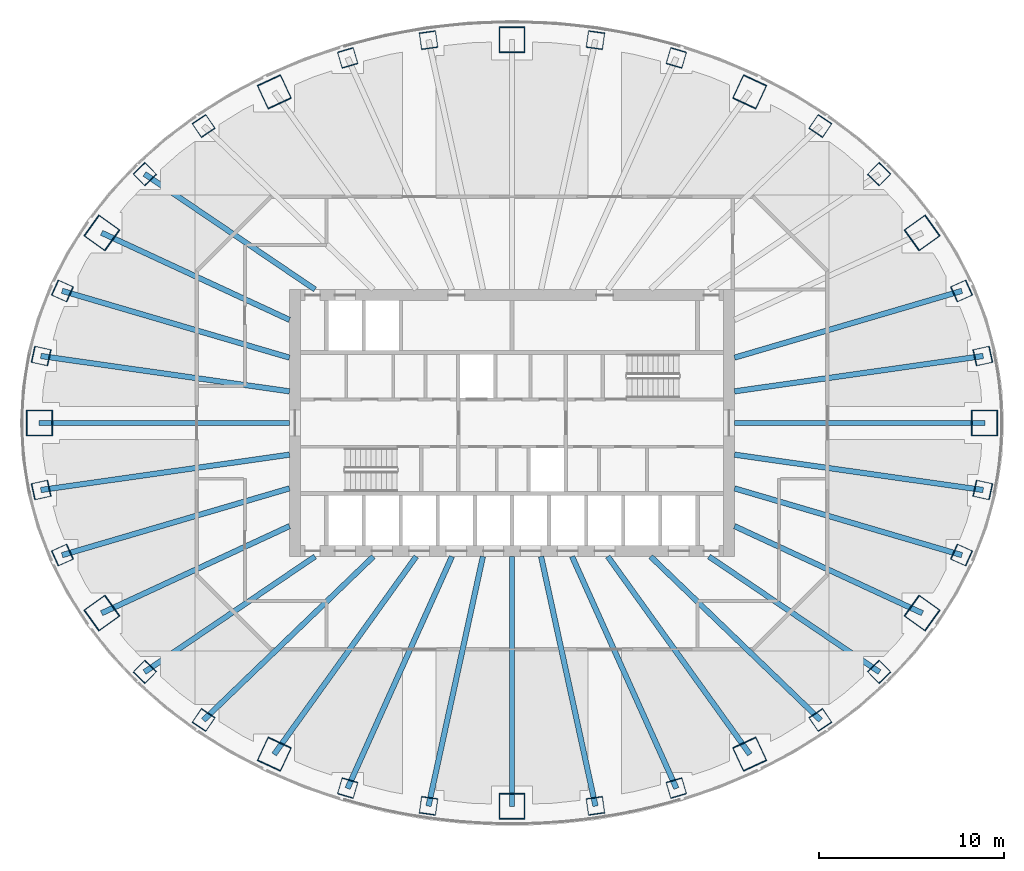
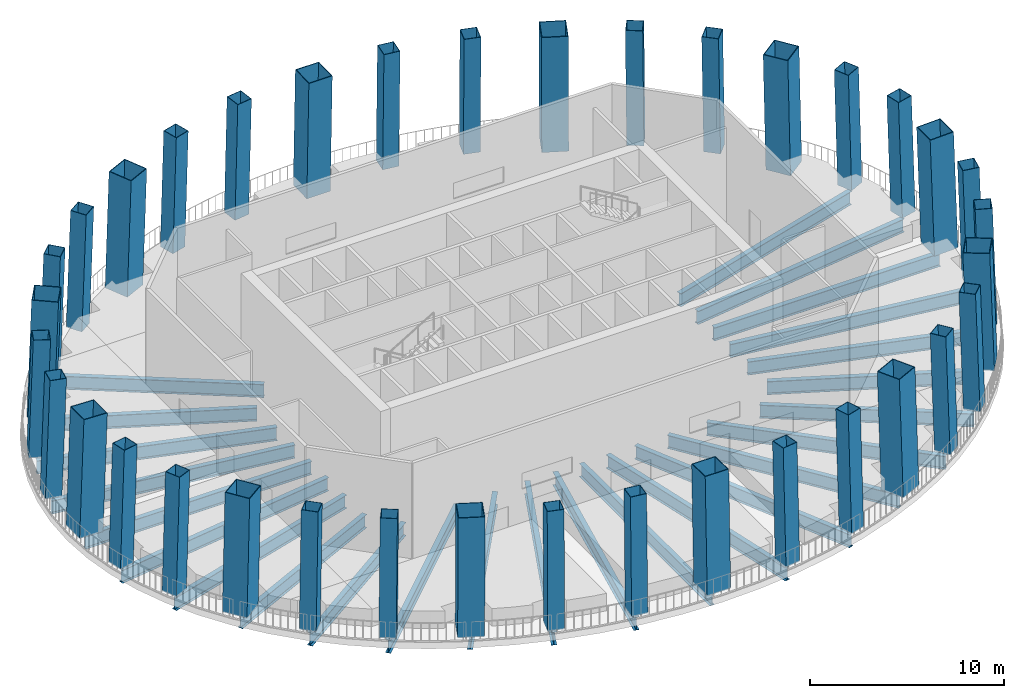
# One storey, part 1 of 13: 36 columns, 25 beams.
"""IFC4 building model written with IfcOpenShell, lengths in metres."""

from ifc_helpers import new_model, si_unit, direction, frame, origin, origin_2d, place, context, subcontext, project, spatial, hollow_rectangle, i_section, extrude, material, material_profile, profile_set, type_object, element, save


model = new_model("IFC4")

# Units and contexts
model_context = context("Model", 3, precision=1e-05, world=origin(), true_north=direction((0.0, 1.0)))
body_context = subcontext(model_context, "Body", "Model", "MODEL_VIEW")
ifc_project = project(units=[si_unit("LENGTHUNIT", "METRE"), si_unit("AREAUNIT", "SQUARE_METRE"), si_unit("VOLUMEUNIT", "CUBIC_METRE"), si_unit("PLANEANGLEUNIT", "RADIAN"), si_unit("MASSUNIT", "GRAM", prefix="KILO")], contexts=[model_context])

# Site, building, storey
site_placement = place(None, origin())
site = spatial("IfcSite", under=ifc_project, at=site_placement, CompositionType="ELEMENT")
building_placement = place(site_placement, origin())
building = spatial("IfcBuilding", under=site, at=building_placement, Name="Siaravel Broadcast Tower", CompositionType="ELEMENT")
storey_placement = place(building_placement, frame((0.0, 0.0, 85.199951171875)))
storey = spatial("IfcBuildingStorey", under=building, at=storey_placement, Name="L20", CompositionType="ELEMENT", Elevation=85.199951171875)

# Columns
ifc_material_1 = material(Name="Concrete C70/85", Category="concrete")
ifc_material_profile_1 = material_profile(ifc_material_1, hollow_rectangle(XDim=1.39990234375, YDim=1.39990234375, WallThickness=0.0400390625, at=origin_2d()))
ifc_profile_set_1 = profile_set([ifc_material_profile_1], Name="Concrete C70/85")
column_type_1 = type_object("IfcColumnType", Name="COL-CFT BOX 1400x1400x40", PredefinedType="COLUMN", material=ifc_profile_set_1)
column_1_placement = place(storey_placement, frame((25.493408203125, 0.0, 0.0), z_axis=(-0.034587192, 0.0, 0.999401684), x_axis=(0.0, -1.0, 0.0)))
element("IfcColumn", 1, at=column_1_placement, inside=storey, type_object=column_type_1, Name="Megacolumn MC01", PredefinedType="COLUMN", context=body_context, shape_type="SweptSolid", body=[
    extrude(hollow_rectangle(XDim=1.39990234375, YDim=1.39990234375, WallThickness=0.0400390625, at=origin_2d()), origin(), (0.0, 0.0, 1.0), 7.404541015625),
])
column_2_placement = place(storey_placement, frame((22.131591796875, 10.2578125, 0.0), z_axis=(-0.029972624, -0.014178469, 0.999450155), x_axis=(0.582422269, -0.812864736, 0.005934809)))
element("IfcColumn", 2, at=column_2_placement, inside=storey, type_object=column_type_1, Name="Megacolumn MC02", PredefinedType="COLUMN", context=body_context, shape_type="SweptSolid", body=[
    extrude(hollow_rectangle(XDim=1.39990234375, YDim=1.39990234375, WallThickness=0.0400390625, at=origin_2d()), origin(), (0.0, 0.0, 1.0), 7.404296875),
])
column_3_placement = place(storey_placement, frame((12.826416015625, 17.8701171875, 0.0), z_axis=(-0.017279682, -0.024501533, 0.999550443), x_axis=(0.907479145, -0.420062539, 0.005391198)))
element("IfcColumn", 3, at=column_3_placement, inside=storey, type_object=column_type_1, Name="Megacolumn MC03", PredefinedType="COLUMN", context=body_context, shape_type="SweptSolid", body=[
    extrude(hollow_rectangle(XDim=1.39990234375, YDim=1.39990234375, WallThickness=0.0400390625, at=origin_2d()), origin(), (0.0, 0.0, 1.0), 7.403564453125),
])
column_4_placement = place(storey_placement, frame((0.0, 20.68310546875, 0.0), z_axis=(0.0, -0.028361125, 0.999597742), x_axis=(1.0, 0.0, 0.0)))
element("IfcColumn", 4, at=column_4_placement, inside=storey, type_object=column_type_1, Name="Megacolumn MC04", PredefinedType="COLUMN", context=body_context, shape_type="SweptSolid", body=[
    extrude(hollow_rectangle(XDim=1.39990234375, YDim=1.39990234375, WallThickness=0.0400390625, at=origin_2d()), origin(), (0.0, 0.0, 1.0), 7.403076171875),
])
column_5_placement = place(storey_placement, frame((-12.826416015625, 17.8701171875, 0.0), z_axis=(0.017279682, -0.024501533, 0.999550443), x_axis=(0.907479145, 0.420062539, -0.005391198)))
element("IfcColumn", 5, at=column_5_placement, inside=storey, type_object=column_type_1, Name="Megacolumn MC05", PredefinedType="COLUMN", context=body_context, shape_type="SweptSolid", body=[
    extrude(hollow_rectangle(XDim=1.39990234375, YDim=1.39990234375, WallThickness=0.0400390625, at=origin_2d()), origin(), (0.0, 0.0, 1.0), 7.403564453125),
])
column_6_placement = place(storey_placement, frame((-22.131591796875, 10.2578125, 0.0), z_axis=(0.029972624, -0.014178469, 0.999450155), x_axis=(0.582422269, 0.812864736, -0.005934809)))
element("IfcColumn", 6, at=column_6_placement, inside=storey, type_object=column_type_1, Name="Megacolumn MC06", PredefinedType="COLUMN", context=body_context, shape_type="SweptSolid", body=[
    extrude(hollow_rectangle(XDim=1.39990234375, YDim=1.39990234375, WallThickness=0.0400390625, at=origin_2d()), origin(), (0.0, 0.0, 1.0), 7.404296875),
])
column_7_placement = place(storey_placement, frame((-25.493408203125, 0.0, 0.0), z_axis=(0.034587192, 0.0, 0.999401684), x_axis=(0.0, 1.0, 0.0)))
element("IfcColumn", 7, at=column_7_placement, inside=storey, type_object=column_type_1, Name="Megacolumn MC07", PredefinedType="COLUMN", context=body_context, shape_type="SweptSolid", body=[
    extrude(hollow_rectangle(XDim=1.39990234375, YDim=1.39990234375, WallThickness=0.0400390625, at=origin_2d()), origin(), (0.0, 0.0, 1.0), 7.404541015625),
])
column_8_placement = place(storey_placement, frame((-22.131591796875, -10.2578125, 0.0), z_axis=(0.029972624, 0.014178469, 0.999450155), x_axis=(-0.582422269, 0.812864736, 0.005934809)))
element("IfcColumn", 8, at=column_8_placement, inside=storey, type_object=column_type_1, Name="Megacolumn MC08", PredefinedType="COLUMN", context=body_context, shape_type="SweptSolid", body=[
    extrude(hollow_rectangle(XDim=1.39990234375, YDim=1.39990234375, WallThickness=0.0400390625, at=origin_2d()), origin(), (0.0, 0.0, 1.0), 7.404296875),
])
column_9_placement = place(storey_placement, frame((-12.826416015625, -17.8701171875, 0.0), z_axis=(0.017279682, 0.024501533, 0.999550443), x_axis=(-0.907479145, 0.420062539, 0.005391198)))
element("IfcColumn", 9, at=column_9_placement, inside=storey, type_object=column_type_1, Name="Megacolumn MC09", PredefinedType="COLUMN", context=body_context, shape_type="SweptSolid", body=[
    extrude(hollow_rectangle(XDim=1.39990234375, YDim=1.39990234375, WallThickness=0.0400390625, at=origin_2d()), origin(), (0.0, 0.0, 1.0), 7.403564453125),
])
column_10_placement = place(storey_placement, frame((0.0, -20.68310546875, 0.0), z_axis=(0.0, 0.028361125, 0.999597742), x_axis=(-1.0, 0.0, 0.0)))
element("IfcColumn", 10, at=column_10_placement, inside=storey, type_object=column_type_1, Name="Megacolumn MC10", PredefinedType="COLUMN", context=body_context, shape_type="SweptSolid", body=[
    extrude(hollow_rectangle(XDim=1.39990234375, YDim=1.39990234375, WallThickness=0.0400390625, at=origin_2d()), origin(), (0.0, 0.0, 1.0), 7.403076171875),
])
column_11_placement = place(storey_placement, frame((12.826416015625, -17.8701171875, 0.0), z_axis=(-0.017279682, 0.024501533, 0.999550443), x_axis=(-0.907479145, -0.420062539, -0.005391198)))
element("IfcColumn", 11, at=column_11_placement, inside=storey, type_object=column_type_1, Name="Megacolumn MC11", PredefinedType="COLUMN", context=body_context, shape_type="SweptSolid", body=[
    extrude(hollow_rectangle(XDim=1.39990234375, YDim=1.39990234375, WallThickness=0.0400390625, at=origin_2d()), origin(), (0.0, 0.0, 1.0), 7.403564453125),
])
column_12_placement = place(storey_placement, frame((22.131591796875, -10.2578125, 0.0), z_axis=(-0.029972624, 0.014178469, 0.999450155), x_axis=(-0.582422269, -0.812864736, -0.005934809)))
element("IfcColumn", 12, at=column_12_placement, inside=storey, type_object=column_type_1, Name="Megacolumn MC12", PredefinedType="COLUMN", context=body_context, shape_type="SweptSolid", body=[
    extrude(hollow_rectangle(XDim=1.39990234375, YDim=1.39990234375, WallThickness=0.0400390625, at=origin_2d()), origin(), (0.0, 0.0, 1.0), 7.404296875),
])
ifc_material_profile_2 = material_profile(ifc_material_1, hollow_rectangle(XDim=0.89990234375, YDim=0.89990234375, WallThickness=0.02490234375, at=origin_2d()))
ifc_profile_set_2 = profile_set([ifc_material_profile_2], Name="Concrete C70/85")
column_type_2 = type_object("IfcColumnType", Name="COL-CFT BOX 900x900x25", PredefinedType="COLUMN", material=ifc_profile_set_2)
column_13_placement = place(storey_placement, frame((25.4072265625, 3.6142578125, 0.0), z_axis=(-0.034059852, -0.004912796, 0.99940772), x_axis=(0.212302351, -0.977201002, 0.002431638)))
element("IfcColumn", 13, at=column_13_placement, inside=storey, type_object=column_type_2, Name="Perimeter column C01", PredefinedType="COLUMN", context=body_context, shape_type="SweptSolid", body=[
    extrude(hollow_rectangle(XDim=0.89990234375, YDim=0.89990234375, WallThickness=0.02490234375, at=origin_2d()), origin(), (0.0, 0.0, 1.0), 7.404541015625),
])
column_14_placement = place(storey_placement, frame((24.258544921875, 7.12548828125, 0.0), z_axis=(-0.03251072, -0.009693866, 0.999424375), x_axis=(0.409726576, -0.912197379, 0.004480366)))
element("IfcColumn", 14, at=column_14_placement, inside=storey, type_object=column_type_2, Name="Perimeter column C02", PredefinedType="COLUMN", context=body_context, shape_type="SweptSolid", body=[
    extrude(hollow_rectangle(XDim=0.89990234375, YDim=0.89990234375, WallThickness=0.02490234375, at=origin_2d()), origin(), (0.0, 0.0, 1.0), 7.404296875),
])
column_15_placement = place(storey_placement, frame((19.81298828125, 13.429443359375, 0.0), z_axis=(-0.026511289, -0.018234755, 0.999482189), x_axis=(0.720243122, -0.693691762, 0.006448614)))
element("IfcColumn", 15, at=column_15_placement, inside=storey, type_object=column_type_2, Name="Perimeter column C03", PredefinedType="COLUMN", context=body_context, shape_type="SweptSolid", body=[
    extrude(hollow_rectangle(XDim=0.89990234375, YDim=0.89990234375, WallThickness=0.02490234375, at=origin_2d()), origin(), (0.0, 0.0, 1.0), 7.404052734375),
])
column_16_placement = place(storey_placement, frame((16.640869140625, 16.027587890625, 0.0), z_axis=(-0.022225407, -0.021730776, 0.999516786), x_axis=(0.828277494, -0.56028341, 0.006236425)))
element("IfcColumn", 16, at=column_16_placement, inside=storey, type_object=column_type_2, Name="Perimeter column C04", PredefinedType="COLUMN", context=body_context, shape_type="SweptSolid", body=[
    extrude(hollow_rectangle(XDim=0.89990234375, YDim=0.89990234375, WallThickness=0.02490234375, at=origin_2d()), origin(), (0.0, 0.0, 1.0), 7.40380859375),
])
column_17_placement = place(storey_placement, frame((8.866943359375, 19.70263671875, 0.0), z_axis=(-0.01183886, -0.026612702, 0.999575713), x_axis=(0.959516231, -0.281626798, 0.003866369)))
element("IfcColumn", 17, at=column_17_placement, inside=storey, type_object=column_type_2, Name="Perimeter column C05", PredefinedType="COLUMN", context=body_context, shape_type="SweptSolid", body=[
    extrude(hollow_rectangle(XDim=0.89990234375, YDim=0.89990234375, WallThickness=0.02490234375, at=origin_2d()), origin(), (0.0, 0.0, 1.0), 7.4033203125),
])
for number, where, z_axis, x_axis, name in (
    (18, (4.50341796875, 20.660400390625, 0.0), (-0.00600197, -0.027932244, 0.9995918), (0.990142363, -0.140049893, 0.002031726), "Perimeter column C06"),
    (19, (-4.50341796875, 20.660400390625, 0.0), (0.00600197, -0.027932244, 0.9995918), (0.990142363, 0.140049893, -0.002031726), "Perimeter column C07"),
):
    element("IfcColumn", number, at=place(storey_placement, frame(where, z_axis=z_axis, x_axis=x_axis)), inside=storey, type_object=column_type_2, Name=name, PredefinedType="COLUMN", context=body_context, shape_type="SweptSolid", body=[
        extrude(hollow_rectangle(XDim=0.89990234375, YDim=0.89990234375, WallThickness=0.02490234375, at=origin_2d()), origin(), (0.0, 0.0, 1.0), 7.403076171875),
    ])
column_18_placement = place(storey_placement, frame((-8.866943359375, 19.70263671875, 0.0), z_axis=(0.01183886, -0.026612702, 0.999575713), x_axis=(0.959516231, 0.281626798, -0.003866369)))
element("IfcColumn", 20, at=column_18_placement, inside=storey, type_object=column_type_2, Name="Perimeter column C08", PredefinedType="COLUMN", context=body_context, shape_type="SweptSolid", body=[
    extrude(hollow_rectangle(XDim=0.89990234375, YDim=0.89990234375, WallThickness=0.02490234375, at=origin_2d()), origin(), (0.0, 0.0, 1.0), 7.4033203125),
])
column_19_placement = place(storey_placement, frame((-16.640869140625, 16.027587890625, 0.0), z_axis=(0.022225407, -0.021730776, 0.999516786), x_axis=(0.828277494, 0.56028341, -0.006236425)))
element("IfcColumn", 21, at=column_19_placement, inside=storey, type_object=column_type_2, Name="Perimeter column C09", PredefinedType="COLUMN", context=body_context, shape_type="SweptSolid", body=[
    extrude(hollow_rectangle(XDim=0.89990234375, YDim=0.89990234375, WallThickness=0.02490234375, at=origin_2d()), origin(), (0.0, 0.0, 1.0), 7.40380859375),
])
column_20_placement = place(storey_placement, frame((-19.81298828125, 13.429443359375, 0.0), z_axis=(0.026511289, -0.018234755, 0.999482189), x_axis=(0.720243122, 0.693691762, -0.006448614)))
element("IfcColumn", 22, at=column_20_placement, inside=storey, type_object=column_type_2, Name="Perimeter column C10", PredefinedType="COLUMN", context=body_context, shape_type="SweptSolid", body=[
    extrude(hollow_rectangle(XDim=0.89990234375, YDim=0.89990234375, WallThickness=0.02490234375, at=origin_2d()), origin(), (0.0, 0.0, 1.0), 7.404052734375),
])
column_21_placement = place(storey_placement, frame((-24.258544921875, 7.12548828125, 0.0), z_axis=(0.03251072, -0.009693866, 0.999424375), x_axis=(0.409726576, 0.912197379, -0.004480366)))
element("IfcColumn", 23, at=column_21_placement, inside=storey, type_object=column_type_2, Name="Perimeter column C11", PredefinedType="COLUMN", context=body_context, shape_type="SweptSolid", body=[
    extrude(hollow_rectangle(XDim=0.89990234375, YDim=0.89990234375, WallThickness=0.02490234375, at=origin_2d()), origin(), (0.0, 0.0, 1.0), 7.404296875),
])
for number, where, z_axis, x_axis, name in (
    (24, (-25.4072265625, 3.6142578125, 0.0), (0.034059852, -0.004912796, 0.99940772), (0.212302351, 0.977201002, -0.002431638), "Perimeter column C12"),
    (25, (-25.4072265625, -3.6142578125, 0.0), (0.034059852, 0.004912796, 0.99940772), (-0.212302351, 0.977201002, 0.002431638), "Perimeter column C13"),
):
    element("IfcColumn", number, at=place(storey_placement, frame(where, z_axis=z_axis, x_axis=x_axis)), inside=storey, type_object=column_type_2, Name=name, PredefinedType="COLUMN", context=body_context, shape_type="SweptSolid", body=[
        extrude(hollow_rectangle(XDim=0.89990234375, YDim=0.89990234375, WallThickness=0.02490234375, at=origin_2d()), origin(), (0.0, 0.0, 1.0), 7.404541015625),
    ])
column_22_placement = place(storey_placement, frame((-24.258544921875, -7.12548828125, 0.0), z_axis=(0.03251072, 0.009693866, 0.999424375), x_axis=(-0.409726576, 0.912197379, 0.004480366)))
element("IfcColumn", 26, at=column_22_placement, inside=storey, type_object=column_type_2, Name="Perimeter column C14", PredefinedType="COLUMN", context=body_context, shape_type="SweptSolid", body=[
    extrude(hollow_rectangle(XDim=0.89990234375, YDim=0.89990234375, WallThickness=0.02490234375, at=origin_2d()), origin(), (0.0, 0.0, 1.0), 7.404296875),
])
column_23_placement = place(storey_placement, frame((-19.81298828125, -13.429443359375, 0.0), z_axis=(0.026511289, 0.018234755, 0.999482189), x_axis=(-0.720243122, 0.693691762, 0.006448614)))
element("IfcColumn", 27, at=column_23_placement, inside=storey, type_object=column_type_2, Name="Perimeter column C15", PredefinedType="COLUMN", context=body_context, shape_type="SweptSolid", body=[
    extrude(hollow_rectangle(XDim=0.89990234375, YDim=0.89990234375, WallThickness=0.02490234375, at=origin_2d()), origin(), (0.0, 0.0, 1.0), 7.404052734375),
])
column_24_placement = place(storey_placement, frame((-16.640869140625, -16.027587890625, 0.0), z_axis=(0.022225407, 0.021730776, 0.999516786), x_axis=(-0.828277494, 0.56028341, 0.006236425)))
element("IfcColumn", 28, at=column_24_placement, inside=storey, type_object=column_type_2, Name="Perimeter column C16", PredefinedType="COLUMN", context=body_context, shape_type="SweptSolid", body=[
    extrude(hollow_rectangle(XDim=0.89990234375, YDim=0.89990234375, WallThickness=0.02490234375, at=origin_2d()), origin(), (0.0, 0.0, 1.0), 7.40380859375),
])
column_25_placement = place(storey_placement, frame((-8.866943359375, -19.70263671875, 0.0), z_axis=(0.01183886, 0.026612702, 0.999575713), x_axis=(-0.959516231, 0.281626798, 0.003866369)))
element("IfcColumn", 29, at=column_25_placement, inside=storey, type_object=column_type_2, Name="Perimeter column C17", PredefinedType="COLUMN", context=body_context, shape_type="SweptSolid", body=[
    extrude(hollow_rectangle(XDim=0.89990234375, YDim=0.89990234375, WallThickness=0.02490234375, at=origin_2d()), origin(), (0.0, 0.0, 1.0), 7.4033203125),
])
for number, where, z_axis, x_axis, name in (
    (30, (-4.50341796875, -20.660400390625, 0.0), (0.00600197, 0.027932244, 0.9995918), (-0.990142363, 0.140049893, 0.002031726), "Perimeter column C18"),
    (31, (4.50341796875, -20.660400390625, 0.0), (-0.00600197, 0.027932244, 0.9995918), (-0.990142363, -0.140049893, -0.002031726), "Perimeter column C19"),
):
    element("IfcColumn", number, at=place(storey_placement, frame(where, z_axis=z_axis, x_axis=x_axis)), inside=storey, type_object=column_type_2, Name=name, PredefinedType="COLUMN", context=body_context, shape_type="SweptSolid", body=[
        extrude(hollow_rectangle(XDim=0.89990234375, YDim=0.89990234375, WallThickness=0.02490234375, at=origin_2d()), origin(), (0.0, 0.0, 1.0), 7.403076171875),
    ])
column_26_placement = place(storey_placement, frame((8.866943359375, -19.70263671875, 0.0), z_axis=(-0.01183886, 0.026612702, 0.999575713), x_axis=(-0.959516231, -0.281626798, -0.003866369)))
element("IfcColumn", 32, at=column_26_placement, inside=storey, type_object=column_type_2, Name="Perimeter column C20", PredefinedType="COLUMN", context=body_context, shape_type="SweptSolid", body=[
    extrude(hollow_rectangle(XDim=0.89990234375, YDim=0.89990234375, WallThickness=0.02490234375, at=origin_2d()), origin(), (0.0, 0.0, 1.0), 7.4033203125),
])
column_27_placement = place(storey_placement, frame((16.640869140625, -16.027587890625, 0.0), z_axis=(-0.022225407, 0.021730776, 0.999516786), x_axis=(-0.828277494, -0.56028341, -0.006236425)))
element("IfcColumn", 33, at=column_27_placement, inside=storey, type_object=column_type_2, Name="Perimeter column C21", PredefinedType="COLUMN", context=body_context, shape_type="SweptSolid", body=[
    extrude(hollow_rectangle(XDim=0.89990234375, YDim=0.89990234375, WallThickness=0.02490234375, at=origin_2d()), origin(), (0.0, 0.0, 1.0), 7.40380859375),
])
column_28_placement = place(storey_placement, frame((19.81298828125, -13.429443359375, 0.0), z_axis=(-0.026511289, 0.018234755, 0.999482189), x_axis=(-0.720243122, -0.693691762, -0.006448614)))
element("IfcColumn", 34, at=column_28_placement, inside=storey, type_object=column_type_2, Name="Perimeter column C22", PredefinedType="COLUMN", context=body_context, shape_type="SweptSolid", body=[
    extrude(hollow_rectangle(XDim=0.89990234375, YDim=0.89990234375, WallThickness=0.02490234375, at=origin_2d()), origin(), (0.0, 0.0, 1.0), 7.404052734375),
])
column_29_placement = place(storey_placement, frame((24.258544921875, -7.12548828125, 0.0), z_axis=(-0.03251072, 0.009693866, 0.999424375), x_axis=(-0.409726576, -0.912197379, -0.004480366)))
element("IfcColumn", 35, at=column_29_placement, inside=storey, type_object=column_type_2, Name="Perimeter column C23", PredefinedType="COLUMN", context=body_context, shape_type="SweptSolid", body=[
    extrude(hollow_rectangle(XDim=0.89990234375, YDim=0.89990234375, WallThickness=0.02490234375, at=origin_2d()), origin(), (0.0, 0.0, 1.0), 7.404296875),
])
column_30_placement = place(storey_placement, frame((25.4072265625, -3.6142578125, 0.0), z_axis=(-0.034059852, 0.004912796, 0.99940772), x_axis=(-0.212302351, -0.977201002, -0.002431638)))
element("IfcColumn", 36, at=column_30_placement, inside=storey, type_object=column_type_2, Name="Perimeter column C24", PredefinedType="COLUMN", context=body_context, shape_type="SweptSolid", body=[
    extrude(hollow_rectangle(XDim=0.89990234375, YDim=0.89990234375, WallThickness=0.02490234375, at=origin_2d()), origin(), (0.0, 0.0, 1.0), 7.404541015625),
])

# Beams
ifc_material_2 = material(Name="Steel S355", Category="steel")
ifc_material_profile_3 = material_profile(ifc_material_2, i_section(OverallWidth=0.291748046875, OverallDepth=0.8349609375, WebThickness=0.013916015625, FlangeThickness=0.018798828125, FilletRadius=0.017822265625, at=origin_2d()))
ifc_profile_set_3 = profile_set([ifc_material_profile_3], Name="Steel S355")
beam_type = type_object("IfcBeamType", Name="BM-UB 838x292x176", PredefinedType="BEAM", material=ifc_profile_set_3)
beam_1_placement = place(storey_placement, frame((25.493408203125, 0.0, -0.8173828125), z_axis=(-1.0, 0.0, 0.0), x_axis=(0.0, -1.0, 0.0)))
element("IfcBeam", 37, at=beam_1_placement, inside=storey, type_object=beam_type, Name="Radial beam RB01", PredefinedType="BEAM", context=body_context, shape_type="SweptSolid", body=[
    extrude(i_section(OverallWidth=0.291748046875, OverallDepth=0.8349609375, WebThickness=0.013916015625, FlangeThickness=0.018798828125, FilletRadius=0.017822265625, at=origin_2d()), origin(), (0.0, 0.0, 1.0), 13.493408203125),
])
beam_2_placement = place(storey_placement, frame((25.4072265625, 3.6142578125, -0.8173828125), z_axis=(-0.990032971, -0.140835778, 0.0), x_axis=(0.140835778, -0.990032971, 0.0)))
element("IfcBeam", 38, at=beam_2_placement, inside=storey, type_object=beam_type, Name="Radial beam RB02", PredefinedType="BEAM", context=body_context, shape_type="SweptSolid", body=[
    extrude(i_section(OverallWidth=0.291748046875, OverallDepth=0.8349609375, WebThickness=0.013916015625, FlangeThickness=0.018798828125, FilletRadius=0.017822265625, at=origin_2d()), origin(), (0.0, 0.0, 1.0), 13.542236328125),
])
beam_3_placement = place(storey_placement, frame((24.258544921875, 7.12548828125, -0.8173828125), z_axis=(-0.959463421, -0.281833184, 0.0), x_axis=(0.281833184, -0.959463421, 0.0)))
element("IfcBeam", 39, at=beam_3_placement, inside=storey, type_object=beam_type, Name="Radial beam RB03", PredefinedType="BEAM", context=body_context, shape_type="SweptSolid", body=[
    extrude(i_section(OverallWidth=0.291748046875, OverallDepth=0.8349609375, WebThickness=0.013916015625, FlangeThickness=0.018798828125, FilletRadius=0.017822265625, at=origin_2d()), origin(), (0.0, 0.0, 1.0), 12.7763671875),
])
beam_4_placement = place(storey_placement, frame((-19.81298828125, 13.429443359375, -0.8173828125), z_axis=(0.827770119, -0.561067402, 0.0), x_axis=(0.561067402, 0.827770119, 0.0)))
element("IfcBeam", 40, at=beam_4_placement, inside=storey, type_object=beam_type, Name="Radial beam RB15", PredefinedType="BEAM", context=body_context, shape_type="SweptSolid", body=[
    extrude(i_section(OverallWidth=0.291748046875, OverallDepth=0.8349609375, WebThickness=0.013916015625, FlangeThickness=0.018798828125, FilletRadius=0.017822265625, at=origin_2d()), origin(), (0.0, 0.0, 1.0), 11.10302734375),
])
beam_5_placement = place(storey_placement, frame((-22.131591796875, 10.2578125, -0.8173828125), z_axis=(0.907287618, -0.420510616, 0.0), x_axis=(0.420510616, 0.907287618, 0.0)))
element("IfcBeam", 41, at=beam_5_placement, inside=storey, type_object=beam_type, Name="Radial beam RB16", PredefinedType="BEAM", context=body_context, shape_type="SweptSolid", body=[
    extrude(i_section(OverallWidth=0.291748046875, OverallDepth=0.8349609375, WebThickness=0.013916015625, FlangeThickness=0.018798828125, FilletRadius=0.017822265625, at=origin_2d()), origin(), (0.0, 0.0, 1.0), 11.1669921875),
])
beam_6_placement = place(storey_placement, frame((-24.258544921875, 7.12548828125, -0.8173828125), z_axis=(0.959463421, -0.281833184, 0.0), x_axis=(0.281833184, 0.959463421, 0.0)))
element("IfcBeam", 42, at=beam_6_placement, inside=storey, type_object=beam_type, Name="Radial beam RB17", PredefinedType="BEAM", context=body_context, shape_type="SweptSolid", body=[
    extrude(i_section(OverallWidth=0.291748046875, OverallDepth=0.8349609375, WebThickness=0.013916015625, FlangeThickness=0.018798828125, FilletRadius=0.017822265625, at=origin_2d()), origin(), (0.0, 0.0, 1.0), 12.7763671875),
])
beam_7_placement = place(storey_placement, frame((-25.4072265625, 3.6142578125, -0.8173828125), z_axis=(0.990032971, -0.140835778, 0.0), x_axis=(0.140835778, 0.990032971, 0.0)))
element("IfcBeam", 43, at=beam_7_placement, inside=storey, type_object=beam_type, Name="Radial beam RB18", PredefinedType="BEAM", context=body_context, shape_type="SweptSolid", body=[
    extrude(i_section(OverallWidth=0.291748046875, OverallDepth=0.8349609375, WebThickness=0.013916015625, FlangeThickness=0.018798828125, FilletRadius=0.017822265625, at=origin_2d()), origin(), (0.0, 0.0, 1.0), 13.542236328125),
])
beam_8_placement = place(storey_placement, frame((-25.493408203125, 0.0, -0.8173828125), z_axis=(1.0, 0.0, 0.0), x_axis=(0.0, 1.0, 0.0)))
element("IfcBeam", 44, at=beam_8_placement, inside=storey, type_object=beam_type, Name="Radial beam RB19", PredefinedType="BEAM", context=body_context, shape_type="SweptSolid", body=[
    extrude(i_section(OverallWidth=0.291748046875, OverallDepth=0.8349609375, WebThickness=0.013916015625, FlangeThickness=0.018798828125, FilletRadius=0.017822265625, at=origin_2d()), origin(), (0.0, 0.0, 1.0), 13.493408203125),
])
beam_9_placement = place(storey_placement, frame((-25.4072265625, -3.6142578125, -0.8173828125), z_axis=(0.990032971, 0.140835778, 0.0), x_axis=(-0.140835778, 0.990032971, 0.0)))
element("IfcBeam", 45, at=beam_9_placement, inside=storey, type_object=beam_type, Name="Radial beam RB20", PredefinedType="BEAM", context=body_context, shape_type="SweptSolid", body=[
    extrude(i_section(OverallWidth=0.291748046875, OverallDepth=0.8349609375, WebThickness=0.013916015625, FlangeThickness=0.018798828125, FilletRadius=0.017822265625, at=origin_2d()), origin(), (0.0, 0.0, 1.0), 13.542236328125),
])
beam_10_placement = place(storey_placement, frame((-24.258544921875, -7.12548828125, -0.8173828125), z_axis=(0.959463421, 0.281833184, 0.0), x_axis=(-0.281833184, 0.959463421, 0.0)))
element("IfcBeam", 46, at=beam_10_placement, inside=storey, type_object=beam_type, Name="Radial beam RB21", PredefinedType="BEAM", context=body_context, shape_type="SweptSolid", body=[
    extrude(i_section(OverallWidth=0.291748046875, OverallDepth=0.8349609375, WebThickness=0.013916015625, FlangeThickness=0.018798828125, FilletRadius=0.017822265625, at=origin_2d()), origin(), (0.0, 0.0, 1.0), 12.7763671875),
])
beam_11_placement = place(storey_placement, frame((-22.131591796875, -10.2578125, -0.8173828125), z_axis=(0.907287618, 0.420510616, 0.0), x_axis=(-0.420510616, 0.907287618, 0.0)))
element("IfcBeam", 47, at=beam_11_placement, inside=storey, type_object=beam_type, Name="Radial beam RB22", PredefinedType="BEAM", context=body_context, shape_type="SweptSolid", body=[
    extrude(i_section(OverallWidth=0.291748046875, OverallDepth=0.8349609375, WebThickness=0.013916015625, FlangeThickness=0.018798828125, FilletRadius=0.017822265625, at=origin_2d()), origin(), (0.0, 0.0, 1.0), 11.1669921875),
])
beam_12_placement = place(storey_placement, frame((-19.81298828125, -13.429443359375, -0.8173828125), z_axis=(0.827770119, 0.561067402, 0.0), x_axis=(-0.561067402, 0.827770119, 0.0)))
element("IfcBeam", 48, at=beam_12_placement, inside=storey, type_object=beam_type, Name="Radial beam RB23", PredefinedType="BEAM", context=body_context, shape_type="SweptSolid", body=[
    extrude(i_section(OverallWidth=0.291748046875, OverallDepth=0.8349609375, WebThickness=0.013916015625, FlangeThickness=0.018798828125, FilletRadius=0.017822265625, at=origin_2d()), origin(), (0.0, 0.0, 1.0), 11.10302734375),
])
beam_13_placement = place(storey_placement, frame((-16.640869140625, -16.027587890625, -0.8173828125), z_axis=(0.720249202, 0.693715422, 0.0), x_axis=(-0.693715422, 0.720249202, 0.0)))
element("IfcBeam", 49, at=beam_13_placement, inside=storey, type_object=beam_type, Name="Radial beam RB24", PredefinedType="BEAM", context=body_context, shape_type="SweptSolid", body=[
    extrude(i_section(OverallWidth=0.291748046875, OverallDepth=0.8349609375, WebThickness=0.013916015625, FlangeThickness=0.018798828125, FilletRadius=0.017822265625, at=origin_2d()), origin(), (0.0, 0.0, 1.0), 12.72509765625),
])
beam_14_placement = place(storey_placement, frame((-12.826416015625, -17.8701171875, -0.8173828125), z_axis=(0.583109282, 0.812393726, 0.0), x_axis=(-0.812393726, 0.583109282, 0.0)))
element("IfcBeam", 50, at=beam_14_placement, inside=storey, type_object=beam_type, Name="Radial beam RB25", PredefinedType="BEAM", context=body_context, shape_type="SweptSolid", body=[
    extrude(i_section(OverallWidth=0.291748046875, OverallDepth=0.8349609375, WebThickness=0.013916015625, FlangeThickness=0.018798828125, FilletRadius=0.017822265625, at=origin_2d()), origin(), (0.0, 0.0, 1.0), 13.13427734375),
])
beam_15_placement = place(storey_placement, frame((-8.866943359375, -19.70263671875, -0.8173828125), z_axis=(0.410395034, 0.911907844, 0.0), x_axis=(-0.911907844, 0.410395034, 0.0)))
element("IfcBeam", 51, at=beam_15_placement, inside=storey, type_object=beam_type, Name="Radial beam RB26", PredefinedType="BEAM", context=body_context, shape_type="SweptSolid", body=[
    extrude(i_section(OverallWidth=0.291748046875, OverallDepth=0.8349609375, WebThickness=0.013916015625, FlangeThickness=0.018798828125, FilletRadius=0.017822265625, at=origin_2d()), origin(), (0.0, 0.0, 1.0), 13.71044921875),
])
beam_16_placement = place(storey_placement, frame((-4.50341796875, -20.660400390625, -0.8173828125), z_axis=(0.212976994, 0.977057214, 0.0), x_axis=(-0.977057214, 0.212976994, 0.0)))
element("IfcBeam", 52, at=beam_16_placement, inside=storey, type_object=beam_type, Name="Radial beam RB27", PredefinedType="BEAM", context=body_context, shape_type="SweptSolid", body=[
    extrude(i_section(OverallWidth=0.291748046875, OverallDepth=0.8349609375, WebThickness=0.013916015625, FlangeThickness=0.018798828125, FilletRadius=0.017822265625, at=origin_2d()), origin(), (0.0, 0.0, 1.0), 13.776611328125),
])
beam_17_placement = place(storey_placement, frame((0.0, -20.68310546875, -0.8173828125), z_axis=(0.0, 1.0, 0.0), x_axis=(-1.0, 0.0, 0.0)))
element("IfcBeam", 53, at=beam_17_placement, inside=storey, type_object=beam_type, Name="Radial beam RB28", PredefinedType="BEAM", context=body_context, shape_type="SweptSolid", body=[
    extrude(i_section(OverallWidth=0.291748046875, OverallDepth=0.8349609375, WebThickness=0.013916015625, FlangeThickness=0.018798828125, FilletRadius=0.017822265625, at=origin_2d()), origin(), (0.0, 0.0, 1.0), 13.483154296875),
])
beam_18_placement = place(storey_placement, frame((4.50341796875, -20.660400390625, -0.8173828125), z_axis=(-0.212976994, 0.977057214, 0.0), x_axis=(-0.977057214, -0.212976994, 0.0)))
element("IfcBeam", 54, at=beam_18_placement, inside=storey, type_object=beam_type, Name="Radial beam RB29", PredefinedType="BEAM", context=body_context, shape_type="SweptSolid", body=[
    extrude(i_section(OverallWidth=0.291748046875, OverallDepth=0.8349609375, WebThickness=0.013916015625, FlangeThickness=0.018798828125, FilletRadius=0.017822265625, at=origin_2d()), origin(), (0.0, 0.0, 1.0), 13.776611328125),
])
beam_19_placement = place(storey_placement, frame((8.866943359375, -19.70263671875, -0.8173828125), z_axis=(-0.410395034, 0.911907844, 0.0), x_axis=(-0.911907844, -0.410395034, 0.0)))
element("IfcBeam", 55, at=beam_19_placement, inside=storey, type_object=beam_type, Name="Radial beam RB30", PredefinedType="BEAM", context=body_context, shape_type="SweptSolid", body=[
    extrude(i_section(OverallWidth=0.291748046875, OverallDepth=0.8349609375, WebThickness=0.013916015625, FlangeThickness=0.018798828125, FilletRadius=0.017822265625, at=origin_2d()), origin(), (0.0, 0.0, 1.0), 13.71044921875),
])
beam_20_placement = place(storey_placement, frame((12.826416015625, -17.8701171875, -0.8173828125), z_axis=(-0.583109282, 0.812393726, 0.0), x_axis=(-0.812393726, -0.583109282, 0.0)))
element("IfcBeam", 56, at=beam_20_placement, inside=storey, type_object=beam_type, Name="Radial beam RB31", PredefinedType="BEAM", context=body_context, shape_type="SweptSolid", body=[
    extrude(i_section(OverallWidth=0.291748046875, OverallDepth=0.8349609375, WebThickness=0.013916015625, FlangeThickness=0.018798828125, FilletRadius=0.017822265625, at=origin_2d()), origin(), (0.0, 0.0, 1.0), 13.13427734375),
])
beam_21_placement = place(storey_placement, frame((16.640869140625, -16.027587890625, -0.8173828125), z_axis=(-0.720249202, 0.693715422, 0.0), x_axis=(-0.693715422, -0.720249202, 0.0)))
element("IfcBeam", 57, at=beam_21_placement, inside=storey, type_object=beam_type, Name="Radial beam RB32", PredefinedType="BEAM", context=body_context, shape_type="SweptSolid", body=[
    extrude(i_section(OverallWidth=0.291748046875, OverallDepth=0.8349609375, WebThickness=0.013916015625, FlangeThickness=0.018798828125, FilletRadius=0.017822265625, at=origin_2d()), origin(), (0.0, 0.0, 1.0), 12.72509765625),
])
beam_22_placement = place(storey_placement, frame((19.81298828125, -13.429443359375, -0.8173828125), z_axis=(-0.827770119, 0.561067402, 0.0), x_axis=(-0.561067402, -0.827770119, 0.0)))
element("IfcBeam", 58, at=beam_22_placement, inside=storey, type_object=beam_type, Name="Radial beam RB33", PredefinedType="BEAM", context=body_context, shape_type="SweptSolid", body=[
    extrude(i_section(OverallWidth=0.291748046875, OverallDepth=0.8349609375, WebThickness=0.013916015625, FlangeThickness=0.018798828125, FilletRadius=0.017822265625, at=origin_2d()), origin(), (0.0, 0.0, 1.0), 11.10302734375),
])
beam_23_placement = place(storey_placement, frame((22.131591796875, -10.2578125, -0.8173828125), z_axis=(-0.907287618, 0.420510616, 0.0), x_axis=(-0.420510616, -0.907287618, 0.0)))
element("IfcBeam", 59, at=beam_23_placement, inside=storey, type_object=beam_type, Name="Radial beam RB34", PredefinedType="BEAM", context=body_context, shape_type="SweptSolid", body=[
    extrude(i_section(OverallWidth=0.291748046875, OverallDepth=0.8349609375, WebThickness=0.013916015625, FlangeThickness=0.018798828125, FilletRadius=0.017822265625, at=origin_2d()), origin(), (0.0, 0.0, 1.0), 11.1669921875),
])
beam_24_placement = place(storey_placement, frame((24.258544921875, -7.12548828125, -0.8173828125), z_axis=(-0.959463421, 0.281833184, 0.0), x_axis=(-0.281833184, -0.959463421, 0.0)))
element("IfcBeam", 60, at=beam_24_placement, inside=storey, type_object=beam_type, Name="Radial beam RB35", PredefinedType="BEAM", context=body_context, shape_type="SweptSolid", body=[
    extrude(i_section(OverallWidth=0.291748046875, OverallDepth=0.8349609375, WebThickness=0.013916015625, FlangeThickness=0.018798828125, FilletRadius=0.017822265625, at=origin_2d()), origin(), (0.0, 0.0, 1.0), 12.7763671875),
])
beam_25_placement = place(storey_placement, frame((25.4072265625, -3.6142578125, -0.8173828125), z_axis=(-0.990032971, 0.140835778, 0.0), x_axis=(-0.140835778, -0.990032971, 0.0)))
element("IfcBeam", 61, at=beam_25_placement, inside=storey, type_object=beam_type, Name="Radial beam RB36", PredefinedType="BEAM", context=body_context, shape_type="SweptSolid", body=[
    extrude(i_section(OverallWidth=0.291748046875, OverallDepth=0.8349609375, WebThickness=0.013916015625, FlangeThickness=0.018798828125, FilletRadius=0.017822265625, at=origin_2d()), origin(), (0.0, 0.0, 1.0), 13.542236328125),
])

save(model, "model.ifc")
